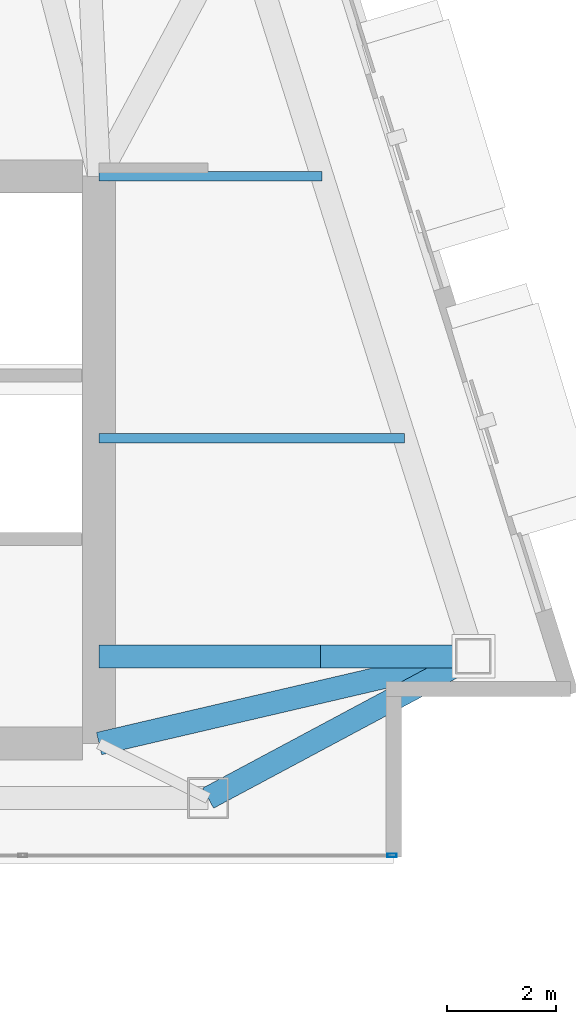
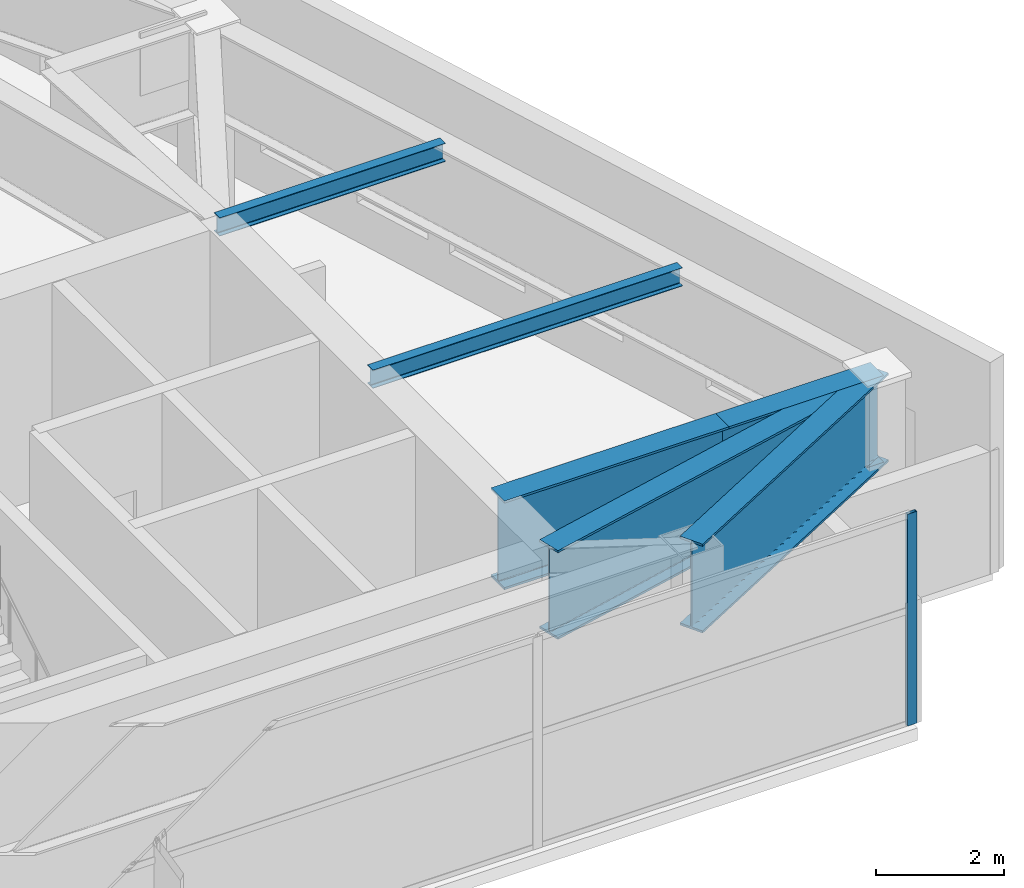
# One storey, part 13 of 26: 6 beams, 1 member, 1 element without a shape of its own.
"""IFC4 building model written with IfcOpenShell, lengths in metres."""

from ifc_helpers import new_model, si_unit, direction, frame, origin, origin_2d, place, context, subcontext, project, spatial, hollow_rectangle, i_section, extrude, material, layer, layer_set, material_profile, profile_set, type_object, element, aggregate, save


model = new_model("IFC4")

# Units and contexts
model_context = context("Model", 3, precision=1e-05, world=origin(), true_north=direction((0.0, 1.0)))
body_context = subcontext(model_context, "Body", "Model", "MODEL_VIEW")
ifc_project = project(units=[si_unit("LENGTHUNIT", "METRE"), si_unit("AREAUNIT", "SQUARE_METRE"), si_unit("VOLUMEUNIT", "CUBIC_METRE"), si_unit("PLANEANGLEUNIT", "RADIAN"), si_unit("MASSUNIT", "GRAM", prefix="KILO")], contexts=[model_context])

# Site, building, storey
site_placement = place(None, origin())
site = spatial("IfcSite", under=ifc_project, at=site_placement, CompositionType="ELEMENT")
building_placement = place(site_placement, origin())
building = spatial("IfcBuilding", under=site, at=building_placement, Name="Calvorn Quay Hotel", CompositionType="ELEMENT")
storey_placement = place(building_placement, frame((0.0, 0.0, 302.5)))
storey = spatial("IfcBuildingStorey", under=building, at=storey_placement, Name="L75", CompositionType="ELEMENT", Elevation=302.5)

# Beams
ifc_material_1 = material(Name="Steel Q355B", Category="steel")
ifc_material_profile_1 = material_profile(ifc_material_1, i_section(OverallWidth=0.175048828125, OverallDepth=0.35009765625, WebThickness=0.007080078125, FlangeThickness=0.010986328125, FilletRadius=0.013916015625, at=origin_2d()), Name="HN350x175x7x11")
ifc_profile_set_1 = profile_set([ifc_material_profile_1], Name="Steel Q355B")
beam_type_1 = type_object("IfcBeamType", Name="BM-JOIST-SEC", PredefinedType="JOIST", material=ifc_profile_set_1)
beam_1_placement = place(storey_placement, frame((32.39990234375, 10.199951171875, 3.875), z_axis=(1.0, 0.0, 0.0), x_axis=(0.0, 1.0, 0.0)))
element("IfcBeam", 1, at=beam_1_placement, inside=storey, type_object=beam_type_1, Name="Beam BJ-L75-E1", PredefinedType="JOIST", context=body_context, shape_type="SweptSolid", body=[
    extrude(i_section(OverallWidth=0.175048828125, OverallDepth=0.35009765625, WebThickness=0.007080078125, FlangeThickness=0.010986328125, FilletRadius=0.013916015625, at=origin_2d()), origin(), (0.0, 0.0, 1.0), 5.60107421875),
])
beam_2_placement = place(storey_placement, frame((32.39990234375, 15.0, 3.875), z_axis=(1.0, 0.0, 0.0), x_axis=(0.0, 1.0, 0.0)))
element("IfcBeam", 2, at=beam_2_placement, inside=storey, type_object=beam_type_1, Name="Beam BJ-L75-E2", PredefinedType="JOIST", context=body_context, shape_type="SweptSolid", body=[
    extrude(i_section(OverallWidth=0.175048828125, OverallDepth=0.35009765625, WebThickness=0.007080078125, FlangeThickness=0.010986328125, FilletRadius=0.013916015625, at=origin_2d()), origin(), (0.0, 0.0, 1.0), 4.088134765625),
])
ifc_material_2 = material(Name="Steel Q420GJC", Category="steel")
ifc_material_profile_2 = material_profile(ifc_material_2, i_section(OverallWidth=0.419921875, OverallDepth=1.699951171875, WebThickness=0.02392578125, FlangeThickness=0.0419921875, FilletRadius=0.02392578125, at=origin_2d()), Name="HN1700x420x24x42")
ifc_profile_set_2 = profile_set([ifc_material_profile_2], Name="Steel Q420GJC")
beam_type_2 = type_object("IfcBeamType", Name="BM-XFER-SAWTOOTH", PredefinedType="BEAM", material=ifc_profile_set_2)
beam_3_placement = place(storey_placement, frame((32.39990234375, 6.199951171875, 3.199951171875), z_axis=(1.0, 0.0, 0.0), x_axis=(0.0, 1.0, 0.0)))
element("IfcBeam", 3, at=beam_3_placement, inside=storey, type_object=beam_type_2, Name="Beam BTG-L75-C-ET1A", PredefinedType="BEAM", context=body_context, shape_type="SweptSolid", body=[
    extrude(i_section(OverallWidth=0.419921875, OverallDepth=1.699951171875, WebThickness=0.02392578125, FlangeThickness=0.0419921875, FilletRadius=0.02392578125, at=origin_2d()), origin(), (0.0, 0.0, 1.0), 4.06103515625),
])
beam_4_placement = place(storey_placement, frame((36.4609375, 6.199951171875, 3.199951171875), z_axis=(1.0, 0.0, 0.0), x_axis=(0.0, 1.0, 0.0)))
element("IfcBeam", 4, at=beam_4_placement, inside=storey, type_object=beam_type_2, Name="Beam BTG-L75-C-ET1B", PredefinedType="BEAM", context=body_context, shape_type="SweptSolid", body=[
    extrude(i_section(OverallWidth=0.419921875, OverallDepth=1.699951171875, WebThickness=0.02392578125, FlangeThickness=0.0419921875, FilletRadius=0.02392578125, at=origin_2d()), origin(), (0.0, 0.0, 1.0), 2.800048828125),
])
beam_5_placement = place(storey_placement, frame((34.39990234375, 3.60009765625, 3.199951171875), z_axis=(0.881804345101, 0.471615412133, 0.0), x_axis=(-0.471615412133, 0.881804345101, 0.0)))
element("IfcBeam", 5, at=beam_5_placement, inside=storey, type_object=beam_type_2, Name="Beam BSP-L75-S4", PredefinedType="BEAM", context=body_context, shape_type="SweptSolid", body=[
    extrude(i_section(OverallWidth=0.419921875, OverallDepth=1.699951171875, WebThickness=0.02392578125, FlangeThickness=0.0419921875, FilletRadius=0.02392578125, at=origin_2d()), origin(), (0.0, 0.0, 1.0), 5.5126953125),
])
beam_6_placement = place(storey_placement, frame((32.39990234375, 4.60009765625, 3.199951171875), z_axis=(0.973874684416, 0.227086104935, 0.0), x_axis=(-0.227086104935, 0.973874684416, 0.0)))
element("IfcBeam", 6, at=beam_6_placement, inside=storey, type_object=beam_type_2, Name="Beam BTG-L75-01", PredefinedType="BEAM", context=body_context, shape_type="SweptSolid", body=[
    extrude(i_section(OverallWidth=0.419921875, OverallDepth=1.699951171875, WebThickness=0.02392578125, FlangeThickness=0.0419921875, FilletRadius=0.02392578125, at=origin_2d()), origin(), (0.0, 0.0, 1.0), 7.045166015625),
])

# Curtain wall, member
ifc_material_3 = material(Name="Champagne Bronze Anodised Aluminium and Low-E Glass", Category="aluminium")
ifc_layer = layer(ifc_material_3, 0.219970703125)
ifc_layer_set = layer_set([ifc_layer], Name="CW-SYS-Z4")
curtain_wall_type = type_object("IfcCurtainWallType", Name="CW-SYS-Z4", PredefinedType="NOTDEFINED", material=ifc_layer_set)
curtain_wall_placement = place(storey_placement, origin())
curtain_wall = element("IfcCurtainWall", 7, at=curtain_wall_placement, inside=storey, type_object=curtain_wall_type, Name="Tower South Waterfront Curtain Wall (L75)", PredefinedType="NOTDEFINED")
ifc_material_4 = material(Name="Champagne Bronze Anodised Aluminium 6063-T6", Category="aluminium")
ifc_material_profile_3 = material_profile(ifc_material_4, hollow_rectangle(XDim=0.06494140625, YDim=0.169921875, WallThickness=0.00341796875, at=origin_2d()), Name="ALU-M170x65x3.5")
ifc_profile_set_3 = profile_set([ifc_material_profile_3], Name="Champagne Bronze Anodised Aluminium 6063-T6")
member_type = type_object("IfcMemberType", Name="CW-SYS-Z4-MUL", PredefinedType="MULLION", material=ifc_profile_set_3)
member_placement = place(storey_placement, frame((37.77001953125, 2.550048828125, 0.0), z_axis=(0.0, 0.0, 1.0), x_axis=(0.0, 1.0, 0.0)))
member = element("IfcMember", 8, at=member_placement, type_object=member_type, Name="CW-L75-S mullion 5", PredefinedType="MULLION", context=body_context, shape_type="SweptSolid", body=[
    extrude(hollow_rectangle(XDim=0.06494140625, YDim=0.169921875, WallThickness=0.00341796875, at=origin_2d()), origin(), (0.0, 0.0, 1.0), 4.050048828125),
])
aggregate(curtain_wall, [member])

save(model, "model.ifc")
